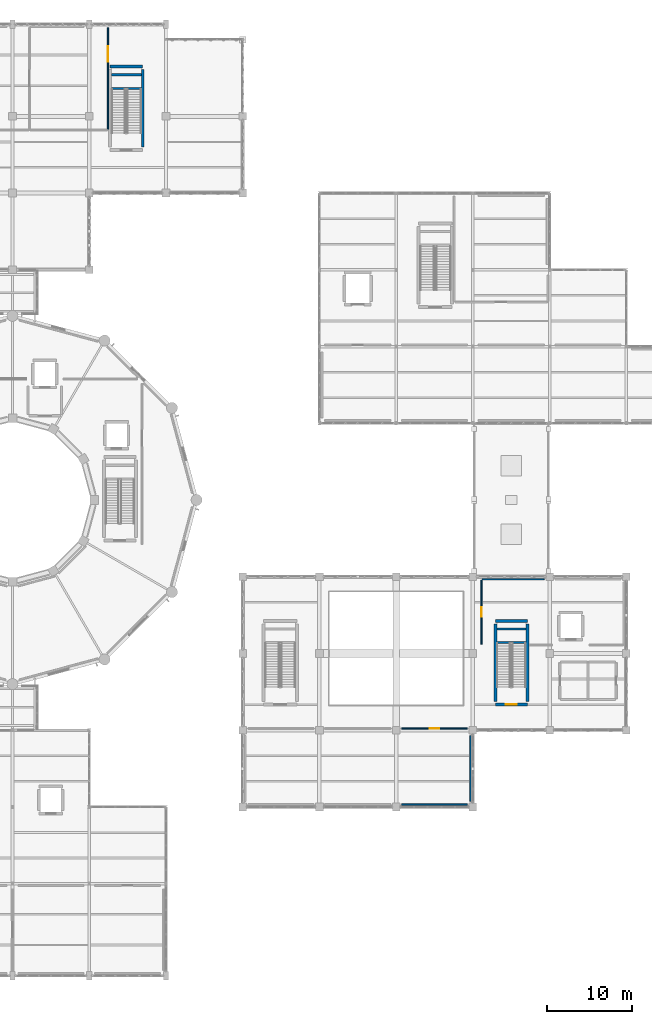
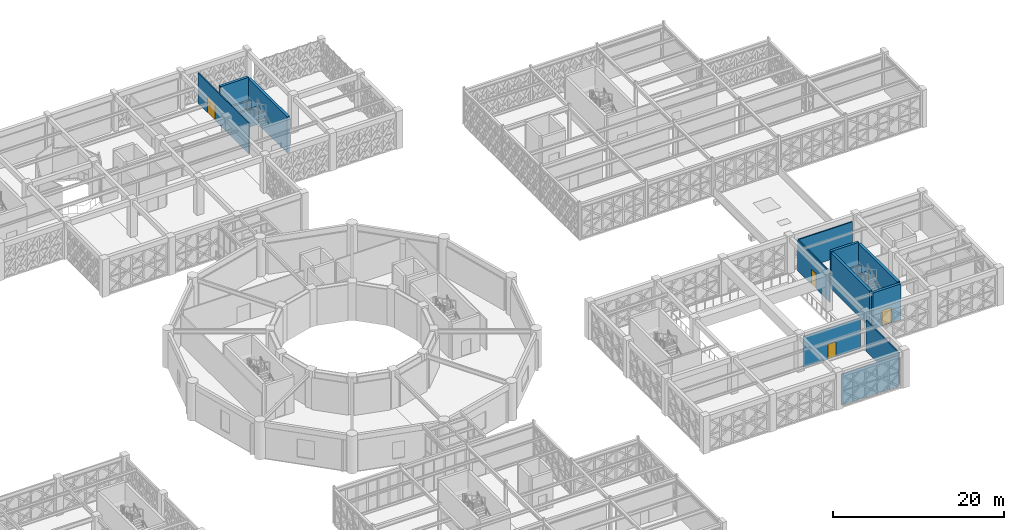
# One storey, part 136 of 155: 16 walls, 4 doors, 4 openings.
"""IFC4 building model written with IfcOpenShell, lengths in metres."""

from ifc_helpers import new_model, si_unit, direction, frame, frame_2d, origin, place, context, subcontext, project, spatial, rectangle, extrude, material, layer, layer_set, type_object, element, fill, save


model = new_model("IFC4")

# Units and contexts
model_context = context("Model", 3, precision=1e-05, world=origin(), true_north=direction((0.0, 1.0)))
body_context = subcontext(model_context, "Body", "Model", "MODEL_VIEW")
ifc_project = project(units=[si_unit("LENGTHUNIT", "METRE"), si_unit("AREAUNIT", "SQUARE_METRE"), si_unit("VOLUMEUNIT", "CUBIC_METRE"), si_unit("PLANEANGLEUNIT", "RADIAN"), si_unit("MASSUNIT", "GRAM", prefix="KILO")], contexts=[model_context])

# Site, building, storey
site_placement = place(None, origin())
site = spatial("IfcSite", under=ifc_project, at=site_placement, CompositionType="ELEMENT")
building_placement = place(site_placement, origin())
building = spatial("IfcBuilding", under=site, at=building_placement, Name="Haizhuo Lancet Aquarium", CompositionType="ELEMENT")
storey_placement = place(building_placement, frame((0.0, 0.0, 10.800048828125)))
storey = spatial("IfcBuildingStorey", under=building, at=storey_placement, Name="L02", CompositionType="ELEMENT", Elevation=10.800048828125)

# Wall
ifc_material_1 = material(Name="Gypsum Fireboard Partition")
ifc_layer_1 = layer(ifc_material_1, 0.14990234375)
ifc_layer_set_1 = layer_set([ifc_layer_1], Name="Gypsum Fireboard Partition")
wall_type_1 = type_object("IfcWallType", Name="IWL-STD-150", PredefinedType="PARTITIONING", material=ifc_layer_set_1)
wall_1_placement = place(storey_placement, frame((62.35009765625, -9.300048828125, 0.0), z_axis=(0.0, 0.0, 1.0), x_axis=(-0.999999856007, -0.000536642552, 0.0)))
element("IfcWall", 1, at=wall_1_placement, inside=storey, type_object=wall_type_1, Name="L02 partition wall 374", PredefinedType="PARTITIONING", context=body_context, shape_type="SweptSolid", body=[
    extrude(rectangle(XDim=7.279052734375, YDim=0.14990234375, at=frame_2d((3.6396484375, 0.0))), origin(), (0.0, 0.0, 1.0), 4.39501953125),
])

# Wall, opening, door
wall_2_placement = place(storey_placement, frame((55.0, -9.39990234375, 0.0), z_axis=(0.0, 0.0, 1.0), x_axis=(0.0, -1.0, 0.0)))
wall_2 = element("IfcWall", 2, at=wall_2_placement, inside=storey, type_object=wall_type_1, Name="L02 partition wall 375", PredefinedType="PARTITIONING", context=body_context, shape_type="SweptSolid", body=[
    extrude(rectangle(XDim=7.5, YDim=0.14990234375, at=frame_2d((3.75, 0.0))), origin(), (0.0, 0.0, 1.0), 4.39501953125),
])
opening_1_placement = place(wall_2_placement, frame((3.199951171875, 0.0, 0.0)))
opening_1 = element("IfcOpeningElement", 3, at=opening_1_placement, cuts=wall_2, Name="Opening D-05", PredefinedType="OPENING", context=body_context, shape_type="SweptSolid", body=[
    extrude(rectangle(XDim=1.10009765625, YDim=2.14990234375, at=frame_2d((0.550048828125, 1.074951171875))), frame((0.0, 0.0849609375, 0.0), z_axis=(0.0, -1.0, 0.0), x_axis=(1.0, 0.0, 0.0)), (0.0, 0.0, 1.0), 0.169902),
])
ifc_material_2 = material(Name="Aluminium 6063-T6", Category="aluminium")
door_type_1 = type_object("IfcDoorType", Name="IDR-CLS-1100x2150", OperationType="NOTDEFINED", PredefinedType="DOOR", material=ifc_material_2)
door_1_placement = place(opening_1_placement, origin())
door_1 = element("IfcDoor", 4, at=door_1_placement, inside=storey, type_object=door_type_1, Name="L02 Education Centre Classroom door", OperationType="SINGLE_SWING_RIGHT", OverallHeight=2.14990234375, OverallWidth=1.10009765625, PredefinedType="DOOR", context=body_context, shape_type="SweptSolid", body=[
    extrude(rectangle(XDim=1.10009765625, YDim=2.14990234375, at=frame_2d((0.550048828125, 1.074951171875))), frame((0.0, 0.02490234375, 0.0), z_axis=(0.0, -1.0, 0.0), x_axis=(1.0, 0.0, 0.0)), (0.0, 0.0, 1.0), 0.050048828125),
])
fill(opening_1, door_1)

# Walls
wall_3_placement = place(storey_placement, frame((45.64990234375, -35.699951171875, 0.0), z_axis=(0.0, 0.0, 1.0), x_axis=(1.0, 0.0, 0.0)))
element("IfcWall", 5, at=wall_3_placement, inside=storey, type_object=wall_type_1, Name="L02 partition wall 379", PredefinedType="PARTITIONING", context=body_context, shape_type="SweptSolid", body=[
    extrude(rectangle(XDim=7.7001953125, YDim=0.14990234375, at=frame_2d((3.85009765625, 0.0))), origin(), (0.0, 0.0, 1.0), 4.39501953125),
])
wall_4_placement = place(storey_placement, frame((53.696044921875, -35.360107421875, 0.0), z_axis=(0.0, 0.0, 1.0), x_axis=(0.00050663367, 0.999999871661, 0.0)))
element("IfcWall", 6, at=wall_4_placement, inside=storey, type_object=wall_type_1, Name="L02 partition wall 380", PredefinedType="PARTITIONING", context=body_context, shape_type="SweptSolid", body=[
    extrude(rectangle(XDim=7.710205078125, YDim=0.14990234375, at=frame_2d((3.85498046875, 0.0))), origin(), (0.0, 0.0, 1.0), 4.445068359375),
])

# Wall, opening, door
wall_5_placement = place(storey_placement, frame((53.360107421875, -26.803955078125, 0.0), z_axis=(0.0, 0.0, 1.0), x_axis=(-0.999999871994, 0.000505976787, 0.0)))
wall_5 = element("IfcWall", 7, at=wall_5_placement, inside=storey, type_object=wall_type_1, Name="L02 partition wall 381", PredefinedType="PARTITIONING", context=body_context, shape_type="SweptSolid", body=[
    extrude(rectangle(XDim=7.72021484375, YDim=0.14990234375, at=frame_2d((3.860107421875, 0.0))), origin(), (0.0, 0.0, 1.0), 4.39501953125),
])
opening_2_placement = place(wall_5_placement, frame((3.31005859375, 0.0, 0.0)))
opening_2 = element("IfcOpeningElement", 8, at=opening_2_placement, cuts=wall_5, Name="Opening D-05", PredefinedType="OPENING", context=body_context, shape_type="SweptSolid", body=[
    extrude(rectangle(XDim=1.10009765625, YDim=2.14990234375, at=frame_2d((0.550048828125, 1.074951171875))), frame((0.0, 0.0849609375, 0.0), z_axis=(0.0, -1.0, 0.0), x_axis=(1.0, 0.0, 0.0)), (0.0, 0.0, 1.0), 0.169902),
])
door_2_placement = place(opening_2_placement, origin())
door_2 = element("IfcDoor", 9, at=door_2_placement, inside=storey, type_object=door_type_1, Name="L02 Interactive Oceanography Seminar Room door", OperationType="SINGLE_SWING_LEFT", OverallHeight=2.14990234375, OverallWidth=1.10009765625, PredefinedType="DOOR", context=body_context, shape_type="SweptSolid", body=[
    extrude(rectangle(XDim=1.10009765625, YDim=2.14990234375, at=frame_2d((0.550048828125, 1.074951171875))), frame((0.0, 0.02490234375, 0.0), z_axis=(0.0, -1.0, 0.0), x_axis=(1.0, 0.0, 0.0)), (0.0, 0.0, 1.0), 0.050048828125),
])
fill(opening_2, door_2)

wall_6_placement = place(storey_placement, frame((11.199951171875, 43.5, 0.0), z_axis=(0.0, 0.0, 1.0), x_axis=(-0.00016385384, 0.999999986576, 0.0)))
wall_6 = element("IfcWall", 10, at=wall_6_placement, inside=storey, type_object=wall_type_1, Name="L02 partition wall 411", PredefinedType="PARTITIONING", context=body_context, shape_type="SweptSolid", body=[
    extrude(rectangle(XDim=11.919921875, YDim=0.14990234375, at=frame_2d((5.9599609375, 0.0))), origin(), (0.0, 0.0, 1.0), 4.39501953125),
])
opening_3_placement = place(wall_6_placement, frame((7.9208984375, 0.0, 0.0)))
opening_3 = element("IfcOpeningElement", 11, at=opening_3_placement, cuts=wall_6, Name="Opening D-02", PredefinedType="OPENING", context=body_context, shape_type="SweptSolid", body=[
    extrude(rectangle(XDim=1.800048828125, YDim=2.300048828125, at=frame_2d((0.89990234375, 1.14990234375))), frame((0.0, 0.0849609375, 0.0), z_axis=(0.0, -1.0, 0.0), x_axis=(1.0, 0.0, 0.0)), (0.0, 0.0, 1.0), 0.169902),
])
door_type_2 = type_object("IfcDoorType", Name="IDR-GAL-1800x2300", OperationType="NOTDEFINED", PredefinedType="DOOR", material=ifc_material_2)
door_3_placement = place(opening_3_placement, origin())
door_3 = element("IfcDoor", 12, at=door_3_placement, inside=storey, type_object=door_type_2, Name="L02 Seagrass Mesocosm Exhibit Gallery door", OperationType="DOUBLE_DOOR_SINGLE_SWING", OverallHeight=2.300048828125, OverallWidth=1.800048828125, PredefinedType="DOOR", context=body_context, shape_type="SweptSolid", body=[
    extrude(rectangle(XDim=1.800048828125, YDim=2.300048828125, at=frame_2d((0.89990234375, 1.14990234375))), frame((0.0, 0.02490234375, 0.0), z_axis=(0.0, -1.0, 0.0), x_axis=(1.0, 0.0, 0.0)), (0.0, 0.0, 1.0), 0.050048828125),
])
fill(opening_3, door_3)

# Walls
ifc_material_3 = material(Name="Concrete C40/50", Category="concrete")
ifc_layer_2 = layer(ifc_material_3, 0.35009765625)
ifc_layer_set_2 = layer_set([ifc_layer_2], Name="Concrete C40/50")
wall_type_2 = type_object("IfcWallType", Name="WL-CORE-350", PredefinedType="SHEAR", material=ifc_layer_set_2)
for number, where, z_axis, x_axis, name in (
    (13, (56.800048828125, -16.72509765625, 0.0), (0.0, 0.0, 1.0), (1.0, 0.0, 0.0), "L02 ST-05 landing support wall"),
    (14, (56.800048828125, -15.125, 0.0), (0.0, 0.0, 1.0), (1.0, 0.0, 0.0), "L02 ST-05 far landing support wall"),
):
    element("IfcWall", number, at=place(storey_placement, frame(where, z_axis=z_axis, x_axis=x_axis)), inside=storey, type_object=wall_type_2, Name=name, PredefinedType="SHEAR", context=body_context, shape_type="SweptSolid", body=[
        extrude(rectangle(XDim=3.39990234375, YDim=0.25, at=frame_2d((1.699951171875, 0.0))), origin(), (0.0, 0.0, 1.0), 2.5),
    ])

# Wall, opening, door
wall_7_placement = place(storey_placement, frame((56.625, -23.97509765625, 0.0), z_axis=(0.0, 0.0, 1.0), x_axis=(1.0, 0.0, 0.0)))
wall_7 = element("IfcWall", 15, at=wall_7_placement, inside=storey, type_object=wall_type_2, Name="L02 ST-05 core shear wall S", PredefinedType="SHEAR", context=body_context, shape_type="SweptSolid", body=[
    extrude(rectangle(XDim=3.75, YDim=0.35009765625, at=frame_2d((1.875, 0.0))), origin(), (0.0, 0.0, 1.0), 5.159912109375),
])
opening_4_placement = place(wall_7_placement, frame((1.22509765625, 0.0, 0.0)))
opening_4 = element("IfcOpeningElement", 16, at=opening_4_placement, cuts=wall_7, Name="Opening FD-02", PredefinedType="OPENING", context=body_context, shape_type="SweptSolid", body=[
    extrude(rectangle(XDim=1.300048828125, YDim=2.199951171875, at=frame_2d((0.64990234375, 1.10009765625))), frame((0.0, 0.18505859375, 0.0), z_axis=(0.0, -1.0, 0.0), x_axis=(1.0, 0.0, 0.0)), (0.0, 0.0, 1.0), 0.370098),
])
ifc_material_4 = material(Name="Steel S355", Category="steel")
door_type_3 = type_object("IfcDoorType", Name="IDR-STAIR-1300x2200", OperationType="NOTDEFINED", PredefinedType="DOOR", material=ifc_material_4)
door_4_placement = place(opening_4_placement, origin())
door_4 = element("IfcDoor", 17, at=door_4_placement, inside=storey, type_object=door_type_3, Name="L02 ST-05 stairwell fire door", OperationType="SINGLE_SWING_RIGHT", OverallHeight=2.199951171875, OverallWidth=1.300048828125, PredefinedType="DOOR", context=body_context, shape_type="SweptSolid", body=[
    extrude(rectangle(XDim=1.300048828125, YDim=2.199951171875, at=frame_2d((0.64990234375, 1.10009765625))), frame((0.0, 0.02490234375, 0.0), z_axis=(0.0, -1.0, 0.0), x_axis=(1.0, 0.0, 0.0)), (0.0, 0.0, 1.0), 0.050048828125),
])
fill(opening_4, door_4)

# Walls
wall_8_placement = place(storey_placement, frame((56.625, -14.175048828125, 0.0), z_axis=(0.0, 0.0, 1.0), x_axis=(1.0, 0.0, 0.0)))
element("IfcWall", 18, at=wall_8_placement, inside=storey, type_object=wall_type_2, Name="L02 ST-05 core shear wall N", PredefinedType="SHEAR", context=body_context, shape_type="SweptSolid", body=[
    extrude(rectangle(XDim=3.75, YDim=0.35009765625, at=frame_2d((1.875, 0.0))), origin(), (0.0, 0.0, 1.0), 5.159912109375),
])
for number, where, z_axis, x_axis, name in (
    (19, (56.625, -23.625, 0.0), (0.0, 0.0, 1.0), (0.0, 1.0, 0.0), "L02 ST-05 core shear wall W"),
    (20, (60.375, -23.625, 0.0), (0.0, 0.0, 1.0), (0.0, 1.0, 0.0), "L02 ST-05 core shear wall E"),
):
    element("IfcWall", number, at=place(storey_placement, frame(where, z_axis=z_axis, x_axis=x_axis)), inside=storey, type_object=wall_type_2, Name=name, PredefinedType="SHEAR", context=body_context, shape_type="SweptSolid", body=[
        extrude(rectangle(XDim=9.10009765625, YDim=0.35009765625, at=frame_2d((4.550048828125, 0.0))), origin(), (0.0, 0.0, 1.0), 5.159912109375),
    ])
for number, where, z_axis, x_axis, name in (
    (21, (11.60009765625, 48.27490234375, 0.0), (0.0, 0.0, 1.0), (1.0, 0.0, 0.0), "L02 ST-08 landing support wall"),
    (22, (11.60009765625, 49.875, 0.0), (0.0, 0.0, 1.0), (1.0, 0.0, 0.0), "L02 ST-08 far landing support wall"),
):
    element("IfcWall", number, at=place(storey_placement, frame(where, z_axis=z_axis, x_axis=x_axis)), inside=storey, type_object=wall_type_2, Name=name, PredefinedType="SHEAR", context=body_context, shape_type="SweptSolid", body=[
        extrude(rectangle(XDim=3.5, YDim=0.25, at=frame_2d((1.75, 0.0))), origin(), (0.0, 0.0, 1.0), 2.5),
    ])
wall_9_placement = place(storey_placement, frame((11.425048828125, 50.824951171875, 0.0), z_axis=(0.0, 0.0, 1.0), x_axis=(1.0, 0.0, 0.0)))
element("IfcWall", 23, at=wall_9_placement, inside=storey, type_object=wall_type_2, Name="L02 ST-08 core shear wall N", PredefinedType="SHEAR", context=body_context, shape_type="SweptSolid", body=[
    extrude(rectangle(XDim=3.849853515625, YDim=0.35009765625, at=frame_2d((1.9248046875, 0.0))), origin(), (0.0, 0.0, 1.0), 5.159912109375),
])
wall_10_placement = place(storey_placement, frame((15.27490234375, 41.375, 0.0), z_axis=(0.0, 0.0, 1.0), x_axis=(0.0, 1.0, 0.0)))
element("IfcWall", 24, at=wall_10_placement, inside=storey, type_object=wall_type_2, Name="L02 ST-08 core shear wall E", PredefinedType="SHEAR", context=body_context, shape_type="SweptSolid", body=[
    extrude(rectangle(XDim=9.10009765625, YDim=0.35009765625, at=frame_2d((4.550048828125, 0.0))), origin(), (0.0, 0.0, 1.0), 5.159912109375),
])

save(model, "model.ifc")
